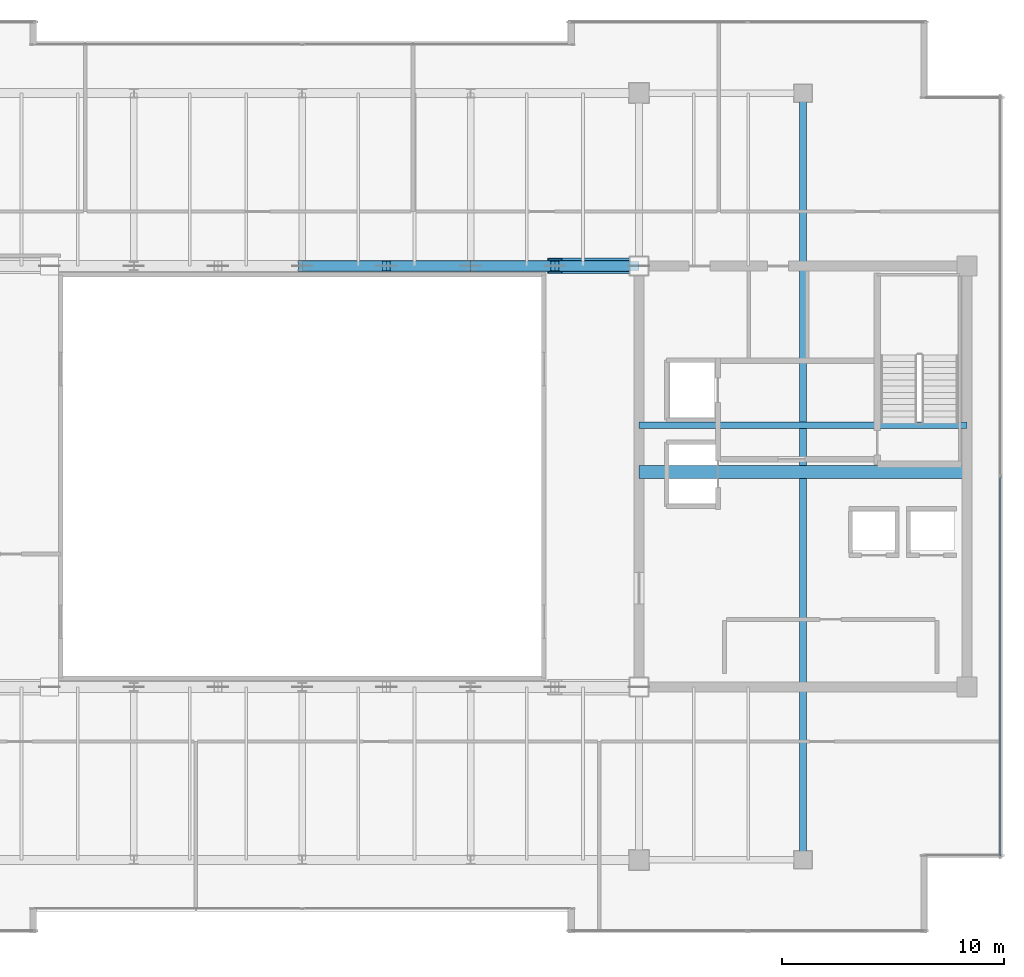
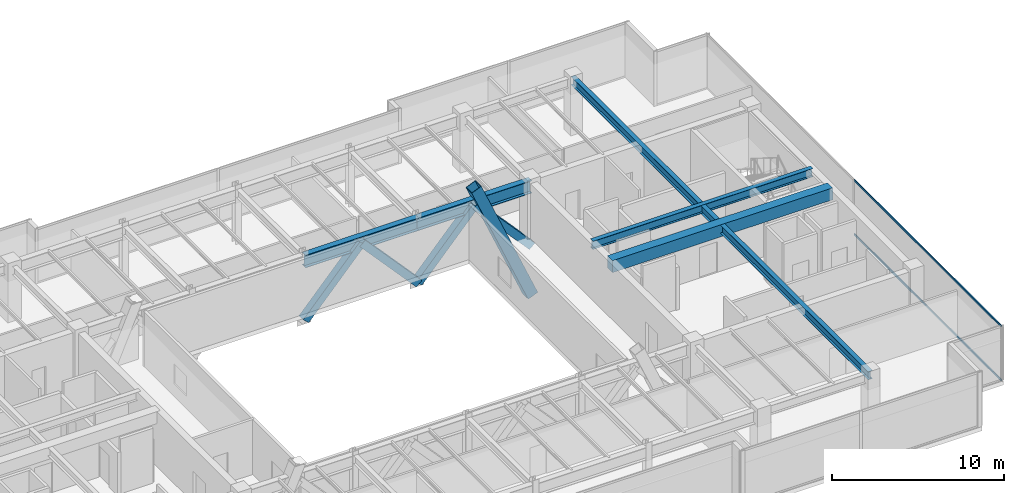
# One storey, part 15 of 32: 7 members, 5 beams, 1 element without a shape of its own.
"""IFC4 building model written with IfcOpenShell, lengths in metres."""

from ifc_helpers import new_model, si_unit, direction, frame, origin, origin_2d, place, context, subcontext, project, spatial, rectangle, hollow_rectangle, i_section, extrude, source, transform, mapped, material, layer, layer_set, material_profile, profile_set, type_object, type_shapes, element, aggregate, save


model = new_model("IFC4")

# Units and contexts
model_context = context("Model", 3, precision=1e-05, world=origin(), true_north=direction((0.0, 1.0)))
body_context = subcontext(model_context, "Body", "Model", "MODEL_VIEW")
ifc_project = project(units=[si_unit("LENGTHUNIT", "METRE"), si_unit("AREAUNIT", "SQUARE_METRE"), si_unit("VOLUMEUNIT", "CUBIC_METRE"), si_unit("PLANEANGLEUNIT", "RADIAN"), si_unit("MASSUNIT", "GRAM", prefix="KILO")], contexts=[model_context])

# Site, building, storey
site_placement = place(None, origin())
site = spatial("IfcSite", under=ifc_project, at=site_placement, CompositionType="ELEMENT")
building_placement = place(site_placement, origin())
building = spatial("IfcBuilding", under=site, at=building_placement, Name="Haelvirn Gate Laboratories", CompositionType="ELEMENT")
storey_placement = place(building_placement, frame((0.0, 0.0, 301.800048828125)))
storey = spatial("IfcBuildingStorey", under=building, at=storey_placement, Name="L72", CompositionType="ELEMENT", Elevation=301.800048828125)

# Beams
ifc_material_1 = material(Name="Steel SM355", Category="steel")
ifc_material_profile_1 = material_profile(ifc_material_1, i_section(OverallWidth=0.300048828125, OverallDepth=0.587890625, WebThickness=0.011962890625, FlangeThickness=0.02001953125, at=origin_2d()), Name="H-588x300x12x20")
ifc_profile_set_1 = profile_set([ifc_material_profile_1], Name="Steel SM355")
beam_type_1 = type_object("IfcBeamType", Name="BM-G-588", PredefinedType="BEAM", material=ifc_profile_set_1)
shared_shape_1 = source(origin(), body_context, "Body", "SweptSolid", [
    extrude(i_section(OverallWidth=0.300048828125, OverallDepth=0.587890625, WebThickness=0.011962890625, FlangeThickness=0.02001953125, at=origin_2d()), origin(), (0.0, 0.0, 1.0), 14.7998046875),
])
beam_1_placement = place(storey_placement, frame((52.60009765625, 26.6201171875, 3.60595703125), z_axis=(1.0, 0.0, 0.0), x_axis=(0.0, 1.0, 0.0)))
element("IfcBeam", 1, at=beam_1_placement, inside=storey, type_object=beam_type_1, Name="L72 Stair ST2 Landing Header", PredefinedType="BEAM", context=body_context, shape_type="MappedRepresentation", body=[
    mapped(shared_shape_1, transform((0.0, 0.0, 0.0), scale=1.0)),
])
ifc_material_2 = material(Name="Steel SM420", Category="steel")
ifc_material_profile_2 = material_profile(ifc_material_2, i_section(OverallWidth=0.39990234375, OverallDepth=0.89990234375, WebThickness=0.01904296875, FlangeThickness=0.031982421875, at=origin_2d()), Name="H-900x400x19x32")
ifc_profile_set_2 = profile_set([ifc_material_profile_2], Name="Steel SM420")
beam_type_2 = type_object("IfcBeamType", Name="BM-TG-900", PredefinedType="BEAM", material=ifc_profile_set_2)
shared_shape_2 = source(origin(), body_context, "Body", "SweptSolid", [
    extrude(i_section(OverallWidth=0.39990234375, OverallDepth=0.89990234375, WebThickness=0.01904296875, FlangeThickness=0.031982421875, at=origin_2d()), origin(), (0.0, 0.0, 1.0), 7.60009765625),
])
type_shapes(beam_type_2, [shared_shape_2])
for number, where, z_axis, x_axis, name in (
    (2, (37.39990234375, 33.800048828125, 3.449951171875), (1.0, 0.0, 0.0), (0.0, 1.0, 0.0), "L72 Primary Girder Y33.8 (37.4-45.0)"),
    (3, (45.0, 33.800048828125, 3.449951171875), (1.0, 0.0, 0.0), (0.0, 1.0, 0.0), "L72 Primary Girder Y33.8 (45.0-52.6)"),
):
    element("IfcBeam", number, at=place(storey_placement, frame(where, z_axis=z_axis, x_axis=x_axis)), inside=storey, type_object=beam_type_2, Name=name, PredefinedType="BEAM", context=body_context, shape_type="MappedRepresentation", body=[
        mapped(shared_shape_2, transform((0.0, 0.0, 0.0), scale=1.0)),
    ])
shared_shape_3 = source(origin(), body_context, "Body", "SweptSolid", [
    extrude(i_section(OverallWidth=0.300048828125, OverallDepth=0.587890625, WebThickness=0.011962890625, FlangeThickness=0.02001953125, at=origin_2d()), origin(), (0.0, 0.0, 1.0), 34.60009765625),
])
type_shapes(beam_type_1, [shared_shape_1, shared_shape_3])
beam_2_placement = place(storey_placement, frame((60.0, 7.0, 3.60595703125), z_axis=(0.0, 1.0, 0.0), x_axis=(-1.0, 0.0, 0.0)))
element("IfcBeam", 4, at=beam_2_placement, inside=storey, type_object=beam_type_1, Name="L72 Frame Girder X60.0 (7.0-41.6)", PredefinedType="BEAM", context=body_context, shape_type="MappedRepresentation", body=[
    mapped(shared_shape_3, transform((0.0, 0.0, 0.0), scale=1.0)),
])
ifc_material_3 = material(Name="Concrete C50/60", Category="concrete")
ifc_material_profile_3 = material_profile(ifc_material_3, rectangle(XDim=0.60009765625, YDim=0.85009765625, at=origin_2d()), Name="RCB-600x850")
ifc_profile_set_3 = profile_set([ifc_material_profile_3], Name="Concrete C50/60")
beam_type_3 = type_object("IfcBeamType", Name="BM-RCB-850", PredefinedType="LINTEL", material=ifc_profile_set_3)
shared_shape_4 = source(origin(), body_context, "Body", "SweptSolid", [
    extrude(rectangle(XDim=0.60009765625, YDim=0.85009765625, at=origin_2d()), origin(), (0.0, 0.0, 1.0), 14.7998046875),
])
type_shapes(beam_type_3, [shared_shape_4])
beam_3_placement = place(storey_placement, frame((52.60009765625, 24.5, 3.474853515625), z_axis=(1.0, 0.0, 0.0), x_axis=(0.0, 1.0, 0.0)))
element("IfcBeam", 5, at=beam_3_placement, inside=storey, type_object=beam_type_3, Name="L72 East Core Coupling Beam", PredefinedType="LINTEL", context=body_context, shape_type="MappedRepresentation", body=[
    mapped(shared_shape_4, transform((0.0, 0.0, 0.0), scale=1.0)),
])

# Members
ifc_material_profile_4 = material_profile(ifc_material_2, hollow_rectangle(XDim=0.699951171875, YDim=0.699951171875, WallThickness=0.031982421875, at=origin_2d()), Name="BOX-700x700x32")
ifc_profile_set_4 = profile_set([ifc_material_profile_4], Name="Steel SM420")
member_type_1 = type_object("IfcMemberType", Name="MEM-ARCH-RIB", PredefinedType="CHORD", material=ifc_profile_set_4)
shared_shape_5 = source(origin(), body_context, "Body", "SweptSolid", [
    extrude(hollow_rectangle(XDim=0.699951171875, YDim=0.699951171875, WallThickness=0.031982421875, at=origin_2d()), origin(), (0.0, 0.0, 1.0), 9.639892578125),
])
type_shapes(member_type_1, [shared_shape_5])
member_1_placement = place(storey_placement, frame((48.800048828125, 33.800048828125, 4.659423828125), z_axis=(0.394197428644, 0.0, -0.919025781603), x_axis=(0.0, 1.0, 0.0)))
element("IfcMember", 6, at=member_1_placement, inside=storey, type_object=member_type_1, Name="Parabolic Steel Arch Rib Y33.8 Seg 8", PredefinedType="CHORD", context=body_context, shape_type="MappedRepresentation", body=[
    mapped(shared_shape_5, transform((0.0, 0.0, 0.0), scale=1.0)),
])
ifc_material_profile_5 = material_profile(ifc_material_2, hollow_rectangle(XDim=0.5, YDim=0.5, WallThickness=0.02197265625, at=origin_2d()), Name="BOX-500x500x22")
ifc_profile_set_5 = profile_set([ifc_material_profile_5], Name="Steel SM420")
member_type_2 = type_object("IfcMemberType", Name="MEM-ARCH-WEB", PredefinedType="BRACE", material=ifc_profile_set_5)
shared_shape_6 = source(origin(), body_context, "Body", "SweptSolid", [
    extrude(hollow_rectangle(XDim=0.5, YDim=0.5, WallThickness=0.02197265625, at=origin_2d()), origin(), (0.0, 0.0, 1.0), 5.663818359375),
])
type_shapes(member_type_2, [shared_shape_6])
for number, where, z_axis, x_axis, name in (
    (7, (37.39990234375, 33.800048828125, -0.75), (0.670922353302, 0.0, 0.741527609628), (0.0, 1.0, 0.0), "L72 Arch Truss Chevron Web Y33.8-3A"),
    (8, (41.199951171875, 33.800048828125, 3.449951171875), (0.670922353302, 0.0, -0.741527609628), (0.0, 1.0, 0.0), "L72 Arch Truss Chevron Web Y33.8-3B"),
    (9, (45.0, 33.800048828125, -0.75), (0.670922353302, 0.0, 0.741527609628), (0.0, 1.0, 0.0), "L72 Arch Truss Chevron Web Y33.8-4A"),
    (10, (48.800048828125, 33.800048828125, 3.449951171875), (0.670922353302, 0.0, -0.741527609628), (0.0, 1.0, 0.0), "L72 Arch Truss Chevron Web Y33.8-4B"),
):
    element("IfcMember", number, at=place(storey_placement, frame(where, z_axis=z_axis, x_axis=x_axis)), inside=storey, type_object=member_type_2, Name=name, PredefinedType="BRACE", context=body_context, shape_type="MappedRepresentation", body=[
        mapped(shared_shape_6, transform((0.0, 0.0, 0.0), scale=1.0)),
    ])

# Curtain wall, members
ifc_material_4 = material(Name="Anodised bronze unitised aluminium & triple low-E glass", Category="aluminium")
ifc_layer = layer(ifc_material_4, 0.176025390625, Name="CW-SYS-4")
ifc_layer_set = layer_set([ifc_layer], Name="Anodised bronze unitised aluminium & triple low-E glass")
curtain_wall_type = type_object("IfcCurtainWallType", Name="CW-SYS-4", PredefinedType="NOTDEFINED", material=ifc_layer_set)
curtain_wall_placement = place(storey_placement, origin())
curtain_wall = element("IfcCurtainWall", 11, at=curtain_wall_placement, inside=storey, type_object=curtain_wall_type, Name="L72 Unitised Curtain Wall CW-L72-P0-E07", PredefinedType="NOTDEFINED")
ifc_material_5 = material(Name="Extruded aluminium 6063-T6 (anodised bronze)", Category="aluminium")
ifc_material_profile_6 = material_profile(ifc_material_5, hollow_rectangle(XDim=0.06494140625, YDim=0.139892578125, WallThickness=0.00390625, at=origin_2d()), Name="CWT-140x65x4")
ifc_profile_set_6 = profile_set([ifc_material_profile_6], Name="Extruded aluminium 6063-T6 (anodised bronze)")
member_type_3 = type_object("IfcMemberType", Name="CWT-T140", PredefinedType="USERDEFINED", material=ifc_profile_set_6)
shared_shape_7 = source(origin(), body_context, "Body", "SweptSolid", [
    extrude(hollow_rectangle(XDim=0.06494140625, YDim=0.139892578125, WallThickness=0.00390625, at=origin_2d()), origin(), (0.0, 0.0, 1.0), 17.094970703125),
])
type_shapes(member_type_3, [shared_shape_7])
member_2_placement = place(storey_placement, frame((68.89990234375, 7.169921875, 0.032470703125), z_axis=(0.0, 1.0, 0.0), x_axis=(-1.0, 0.0, 0.0)))
member_2 = element("IfcMember", 12, at=member_2_placement, type_object=member_type_3, Name="CW4 transom 1.1", ObjectType="TRANSOM", PredefinedType="USERDEFINED", context=body_context, shape_type="MappedRepresentation", body=[
    mapped(shared_shape_7, transform((0.0, 0.0, 0.0), scale=1.0)),
])
member_3_placement = place(storey_placement, frame((68.89990234375, 7.169921875, 3.867431640625), z_axis=(0.0, 1.0, 0.0), x_axis=(-1.0, 0.0, 0.0)))
member_3 = element("IfcMember", 13, at=member_3_placement, type_object=member_type_3, Name="CW4 transom 1.2", ObjectType="TRANSOM", PredefinedType="USERDEFINED", context=body_context, shape_type="MappedRepresentation", body=[
    mapped(shared_shape_7, transform((0.0, 0.0, 0.0), scale=1.0)),
])
aggregate(curtain_wall, [member_2, member_3])

save(model, "model.ifc")
